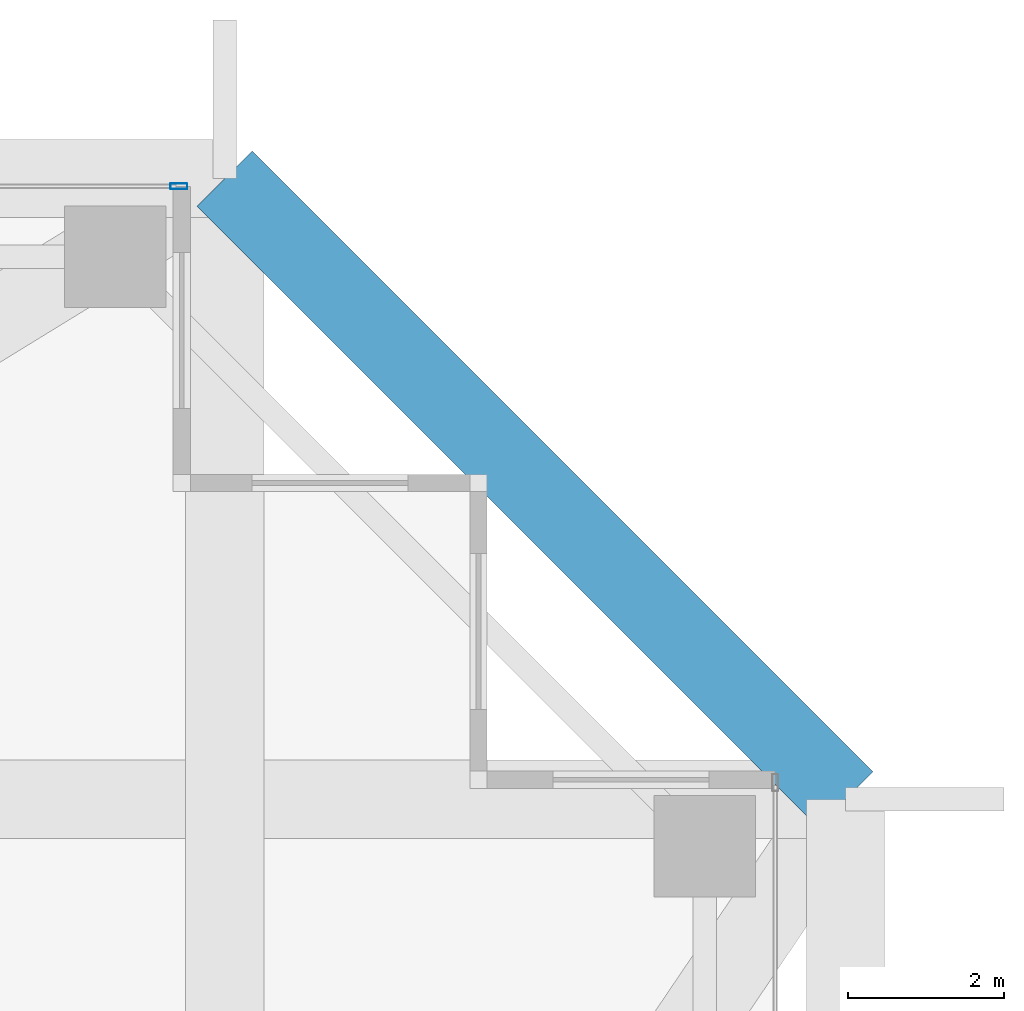
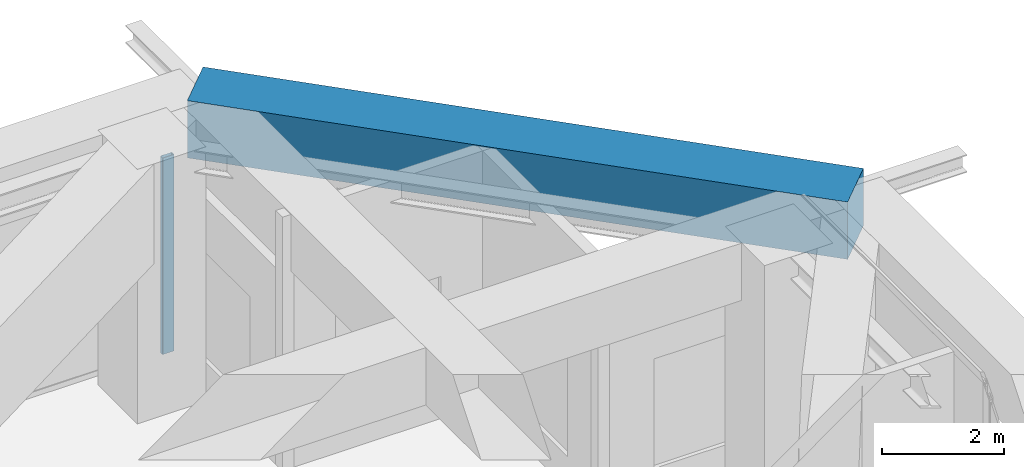
# One storey, part 28 of 38: 1 beam, 1 member, 1 element without a shape of its own.
"""IFC4 building model written with IfcOpenShell, lengths in metres."""

from ifc_helpers import new_model, si_unit, direction, frame, origin, origin_2d, place, context, subcontext, project, spatial, rectangle, hollow_rectangle, extrude, source, transform, mapped, material, layer, layer_set, material_profile, profile_set, type_object, element, aggregate, save


model = new_model("IFC4")

# Units and contexts
model_context = context("Model", 3, precision=1e-05, world=origin(), true_north=direction((0.0, 1.0)))
body_context = subcontext(model_context, "Body", "Model", "MODEL_VIEW")
ifc_project = project(units=[si_unit("LENGTHUNIT", "METRE"), si_unit("AREAUNIT", "SQUARE_METRE"), si_unit("VOLUMEUNIT", "CUBIC_METRE"), si_unit("PLANEANGLEUNIT", "RADIAN"), si_unit("MASSUNIT", "GRAM", prefix="KILO")], contexts=[model_context])

# Site, building, storey
site_placement = place(None, origin())
site = spatial("IfcSite", under=ifc_project, at=site_placement, CompositionType="ELEMENT")
building_placement = place(site_placement, origin())
building = spatial("IfcBuilding", under=site, at=building_placement, Name="Serunith Strait Residences", CompositionType="ELEMENT")
storey_placement = place(building_placement, frame((0.0, 0.0, 204.89990234375)))
storey = spatial("IfcBuildingStorey", under=building, at=storey_placement, Name="L51", CompositionType="ELEMENT", Elevation=204.89990234375)

# Beam
ifc_material_1 = material(Name="Concrete C80/95", Category="concrete")
ifc_material_profile_1 = material_profile(ifc_material_1, rectangle(XDim=1.0, YDim=1.14990234375, at=origin_2d()), Name="RC 1000x1150")
ifc_profile_set_1 = profile_set([ifc_material_profile_1], Name="Concrete C80/95")
beam_type = type_object("IfcBeamType", Name="BM-XFER-1000x1150", PredefinedType="BEAM", material=ifc_profile_set_1)
shared_shape_1 = source(origin(), body_context, "Body", "SweptSolid", [
    extrude(rectangle(XDim=1.0, YDim=1.14990234375, at=origin_2d()), origin(), (0.0, 0.0, 1.0), 11.242919921875),
])
beam_placement = place(storey_placement, frame((56.5, 40.35009765625, 4.53515625), z_axis=(-0.707106781187, 0.707106781187, 0.0), x_axis=(-0.707106781187, -0.707106781187, 0.0)))
element("IfcBeam", 1, at=beam_placement, inside=storey, type_object=beam_type, Name="L51 Flare Upper Ring Transfer Girder 08", PredefinedType="BEAM", context=body_context, shape_type="MappedRepresentation", body=[
    mapped(shared_shape_1, transform((0.0, 0.0, 0.0), scale=1.0)),
])

# Curtain wall, member
ifc_material_2 = material(Name="Pale-Silver PVDF Aluminium", Category="aluminium")
ifc_layer = layer(ifc_material_2, 0.199951171875, Name="Pale-Silver PVDF Aluminium")
ifc_layer_set = layer_set([ifc_layer], Name="Pale-Silver PVDF Aluminium")
curtain_wall_type = type_object("IfcCurtainWallType", Name="CW-SYS3", PredefinedType="NOTDEFINED", material=ifc_layer_set)
curtain_wall_placement = place(storey_placement, origin())
curtain_wall = element("IfcCurtainWall", 2, at=curtain_wall_placement, inside=storey, type_object=curtain_wall_type, Name="L51 N Unitised Fritted Curtain Wall", PredefinedType="NOTDEFINED")
ifc_material_profile_2 = material_profile(ifc_material_2, hollow_rectangle(XDim=0.074951171875, YDim=0.219970703125, WallThickness=0.00390625, InnerFilletRadius=0.006103515625, OuterFilletRadius=0.010009765625, at=origin_2d()), Name="ALU 220x75x4")
ifc_profile_set_2 = profile_set([ifc_material_profile_2], Name="Pale-Silver PVDF Aluminium")
member_type = type_object("IfcMemberType", Name="CW-SYS3-MULL", PredefinedType="MULLION", material=ifc_profile_set_2)
shared_shape_2 = source(origin(), body_context, "Body", "SweptSolid", [
    extrude(hollow_rectangle(XDim=0.074951171875, YDim=0.219970703125, WallThickness=0.00390625, InnerFilletRadius=0.006103515625, OuterFilletRadius=0.010009765625, at=origin_2d()), origin(), (0.0, 0.0, 1.0), 3.945068359375),
])
member_placement = place(storey_placement, frame((47.96240234375, 48.199951171875, 0.0), z_axis=(0.0, 0.0, 1.0), x_axis=(0.0, -1.0, 0.0)))
member = element("IfcMember", 3, at=member_placement, type_object=member_type, Name="CW-3 mullion 1", PredefinedType="MULLION", context=body_context, shape_type="MappedRepresentation", body=[
    mapped(shared_shape_2, transform((0.0, 0.0, 0.0), scale=1.0)),
])
aggregate(curtain_wall, [member])

save(model, "model.ifc")
